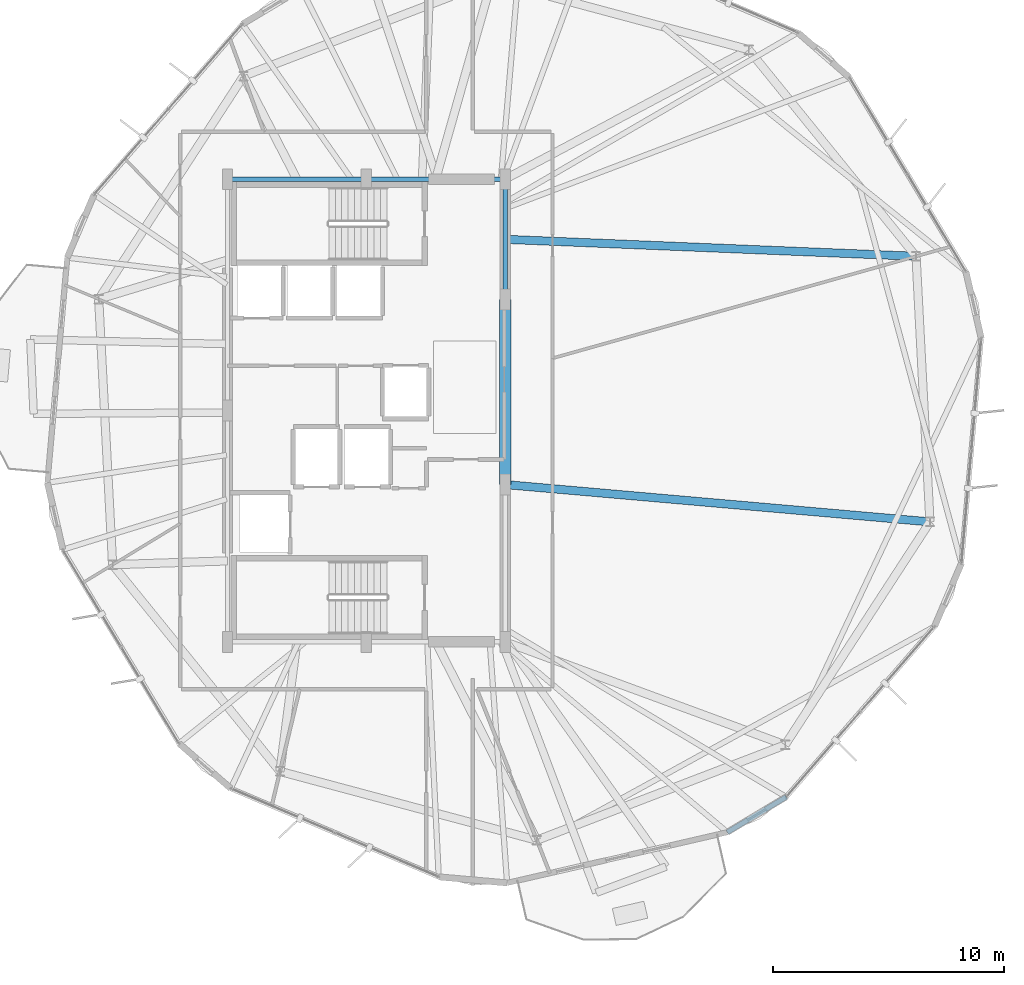
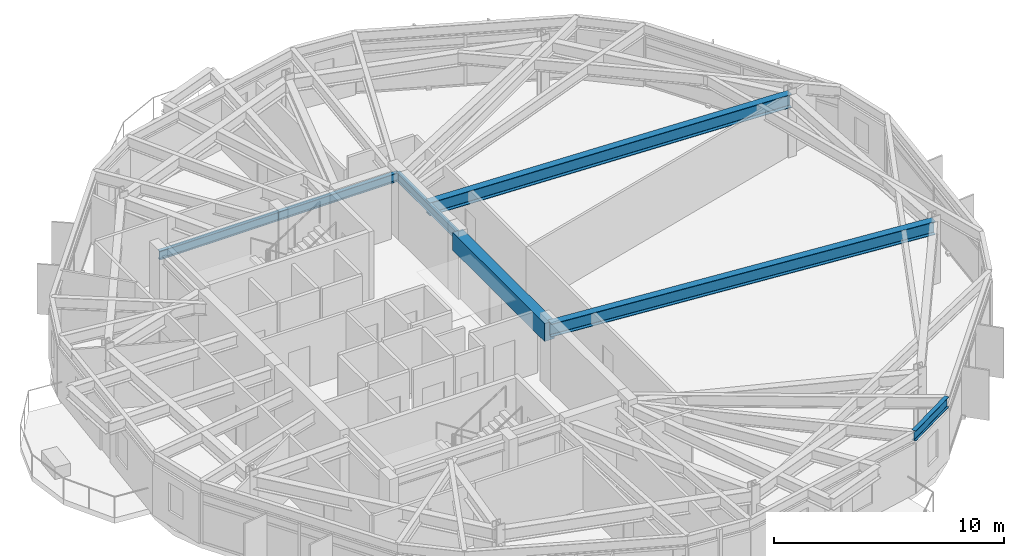
# One storey, part 7 of 27: 7 beams.
"""IFC4 building model written with IfcOpenShell, lengths in metres."""

from ifc_helpers import new_model, si_unit, direction, frame, origin, origin_2d, place, context, subcontext, project, spatial, rectangle, i_section, extrude, material, material_profile, profile_set, type_object, element, save


model = new_model("IFC4")

# Units and contexts
model_context = context("Model", 3, precision=1e-05, world=origin(), true_north=direction((0.0, 1.0)))
body_context = subcontext(model_context, "Body", "Model", "MODEL_VIEW")
ifc_project = project(units=[si_unit("LENGTHUNIT", "METRE"), si_unit("AREAUNIT", "SQUARE_METRE"), si_unit("VOLUMEUNIT", "CUBIC_METRE"), si_unit("PLANEANGLEUNIT", "RADIAN"), si_unit("MASSUNIT", "GRAM", prefix="KILO")], contexts=[model_context])

# Site, building, storey
site_placement = place(None, origin())
site = spatial("IfcSite", under=ifc_project, at=site_placement, CompositionType="ELEMENT")
building_placement = place(site_placement, origin())
building = spatial("IfcBuilding", under=site, at=building_placement, Name="Soratama Intermodal Tower", CompositionType="ELEMENT")
storey_placement = place(building_placement, frame((0.0, 0.0, 212.199951171875)))
storey = spatial("IfcBuildingStorey", under=building, at=storey_placement, Name="L53", CompositionType="ELEMENT", Elevation=212.199951171875)

# Beams
ifc_material_1 = material(Name="Concrete f'c 56 MPa", Category="concrete")
ifc_material_profile_1 = material_profile(ifc_material_1, rectangle(XDim=0.5, YDim=0.949951171875, at=origin_2d()), Name="RC500X950")
ifc_profile_set_1 = profile_set([ifc_material_profile_1], Name="Concrete f'c 56 MPa")
beam_type_1 = type_object("IfcBeamType", Name="BM-CPL-RC500X950", PredefinedType="BEAM", material=ifc_profile_set_1)
beam_1_placement = place(storey_placement, frame((44.60009765625, 21.800048828125, 2.824951171875), z_axis=(0.0, 1.0, 0.0), x_axis=(-1.0, 0.0, 0.0)))
element("IfcBeam", 1, at=beam_1_placement, inside=storey, type_object=beam_type_1, Name="L53 Core Coupling Beam East", PredefinedType="BEAM", context=body_context, shape_type="SweptSolid", body=[
    extrude(rectangle(XDim=0.5, YDim=0.949951171875, at=origin_2d()), origin(), (0.0, 0.0, 1.0), 8.0),
])
ifc_material_2 = material(Name="Structural steel ASTM A992 Grade 50", Category="steel")
ifc_material_profile_2 = material_profile(ifc_material_2, i_section(OverallWidth=0.19091796875, OverallDepth=0.4599609375, WebThickness=0.010009765625, FlangeThickness=0.01611328125, FilletRadius=0.010986328125, at=origin_2d()), Name="W18X55")
ifc_profile_set_2 = profile_set([ifc_material_profile_2], Name="Structural steel ASTM A992 Grade 50")
beam_type_2 = type_object("IfcBeamType", Name="BM-FLR-W18X55", PredefinedType="BEAM", material=ifc_profile_set_2)
beam_2_placement = place(storey_placement, frame((44.60009765625, 29.800048828125, 3.070068359375), z_axis=(0.0, 1.0, 0.0), x_axis=(-1.0, 0.0, 0.0)))
element("IfcBeam", 2, at=beam_2_placement, inside=storey, type_object=beam_type_2, Name="BM-L53-CRING-05", PredefinedType="BEAM", context=body_context, shape_type="SweptSolid", body=[
    extrude(i_section(OverallWidth=0.19091796875, OverallDepth=0.4599609375, WebThickness=0.010009765625, FlangeThickness=0.01611328125, FilletRadius=0.010986328125, at=origin_2d()), origin(), (0.0, 0.0, 1.0), 5.199951171875),
])
for number, where, z_axis, x_axis, name in (
    (3, (44.60009765625, 35.0, 3.070068359375), (-1.0, 0.0, 0.0), (0.0, -1.0, 0.0), "BM-L53-CRING-06"),
    (4, (38.60009765625, 35.0, 3.070068359375), (-1.0, 0.0, 0.0), (0.0, -1.0, 0.0), "BM-L53-CRING-07"),
):
    element("IfcBeam", number, at=place(storey_placement, frame(where, z_axis=z_axis, x_axis=x_axis)), inside=storey, type_object=beam_type_2, Name=name, PredefinedType="BEAM", context=body_context, shape_type="SweptSolid", body=[
        extrude(i_section(OverallWidth=0.19091796875, OverallDepth=0.4599609375, WebThickness=0.010009765625, FlangeThickness=0.01611328125, FilletRadius=0.010986328125, at=origin_2d()), origin(), (0.0, 0.0, 1.0), 6.0),
    ])
ifc_material_3 = material(Name="Structural steel ASTM A992 Grade 50", Category="steel")
ifc_material_profile_3 = material_profile(ifc_material_3, i_section(OverallWidth=0.35498046875, OverallDepth=0.695068359375, WebThickness=0.015380859375, FlangeThickness=0.02490234375, FilletRadius=0.01611328125, at=origin_2d()), Name="W27X146")
ifc_profile_set_3 = profile_set([ifc_material_profile_3], Name="Structural steel ASTM A992 Grade 50")
beam_type_3 = type_object("IfcBeamType", Name="BM-RING-W27X146", PredefinedType="BEAM", material=ifc_profile_set_3)
beam_3_placement = place(storey_placement, frame((44.60009765625, 32.39990234375, 2.95263671875), z_axis=(0.999147788389, -0.041275864109, 0.0), x_axis=(0.041275864109, 0.999147788389, 0.0)))
element("IfcBeam", 5, at=beam_3_placement, inside=storey, type_object=beam_type_3, Name="BM-L53-RAD-01", PredefinedType="BEAM", context=body_context, shape_type="SweptSolid", body=[
    extrude(i_section(OverallWidth=0.35498046875, OverallDepth=0.695068359375, WebThickness=0.015380859375, FlangeThickness=0.02490234375, FilletRadius=0.01611328125, at=origin_2d()), origin(), (0.0, 0.0, 1.0), 17.780029296875),
])
beam_4_placement = place(storey_placement, frame((44.60009765625, 21.800048828125, 2.95263671875), z_axis=(0.996160716813, -0.087543282317, 0.0), x_axis=(0.087543282317, 0.996160716813, 0.0)))
element("IfcBeam", 6, at=beam_4_placement, inside=storey, type_object=beam_type_3, Name="BM-L53-RAD-10", PredefinedType="BEAM", context=body_context, shape_type="SweptSolid", body=[
    extrude(i_section(OverallWidth=0.35498046875, OverallDepth=0.695068359375, WebThickness=0.015380859375, FlangeThickness=0.02490234375, FilletRadius=0.01611328125, at=origin_2d()), origin(), (0.0, 0.0, 1.0), 18.436767578125),
])
ifc_material_4 = material(Name="Structural steel ASTM A992 Grade 50", Category="steel")
ifc_material_profile_4 = material_profile(ifc_material_4, i_section(OverallWidth=0.2099609375, OverallDepth=0.537109375, WebThickness=0.010986328125, FlangeThickness=0.017333984375, FilletRadius=0.012939453125, at=origin_2d()), Name="W21X68")
ifc_profile_set_4 = profile_set([ifc_material_profile_4], Name="Structural steel ASTM A992 Grade 50")
beam_type_4 = type_object("IfcBeamType", Name="BM-SPN-W21X68", PredefinedType="SPANDREL", material=ifc_profile_set_4)
beam_5_placement = place(storey_placement, frame((54.2080078125, 6.76806640625, 3.031494140625), z_axis=(0.857565534779, 0.514374720957, 0.0), x_axis=(-0.514374720957, 0.857565534779, 0.0)))
element("IfcBeam", 7, at=beam_5_placement, inside=storey, type_object=beam_type_4, Name="BS-L53-CRN07", PredefinedType="SPANDREL", context=body_context, shape_type="SweptSolid", body=[
    extrude(i_section(OverallWidth=0.2099609375, OverallDepth=0.537109375, WebThickness=0.010986328125, FlangeThickness=0.017333984375, FilletRadius=0.012939453125, at=origin_2d()), origin(), (0.0, 0.0, 1.0), 2.966552734375),
])

save(model, "model.ifc")
